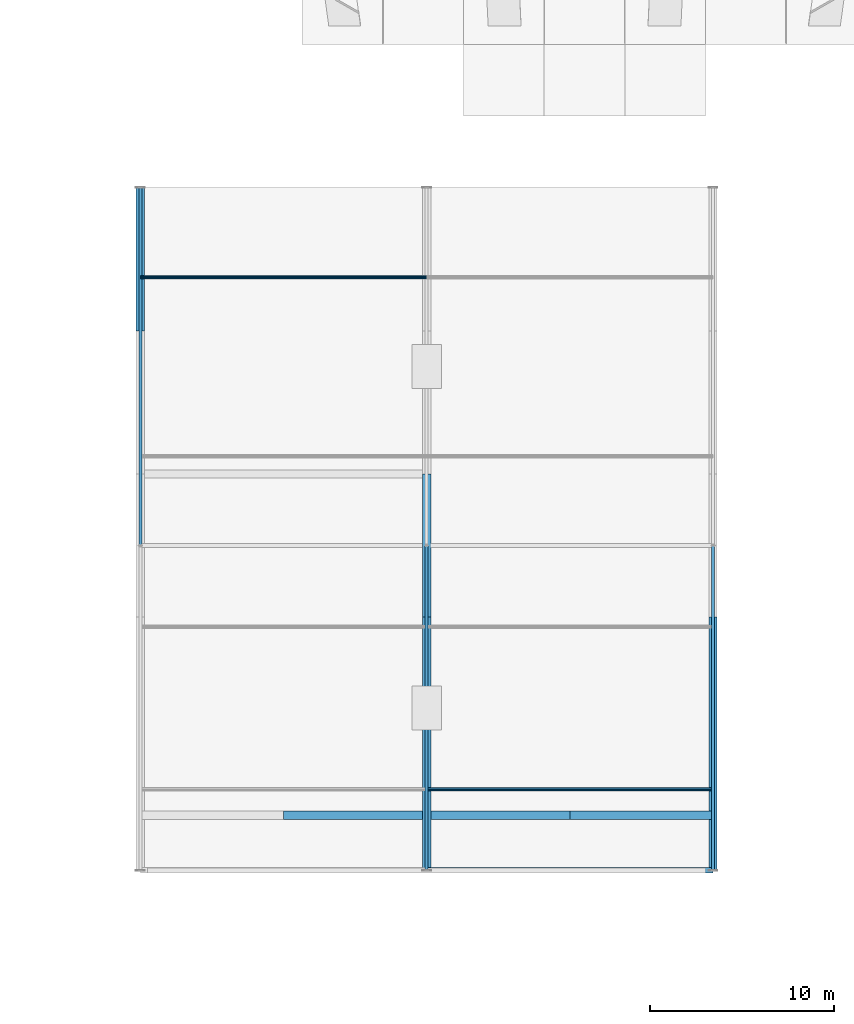
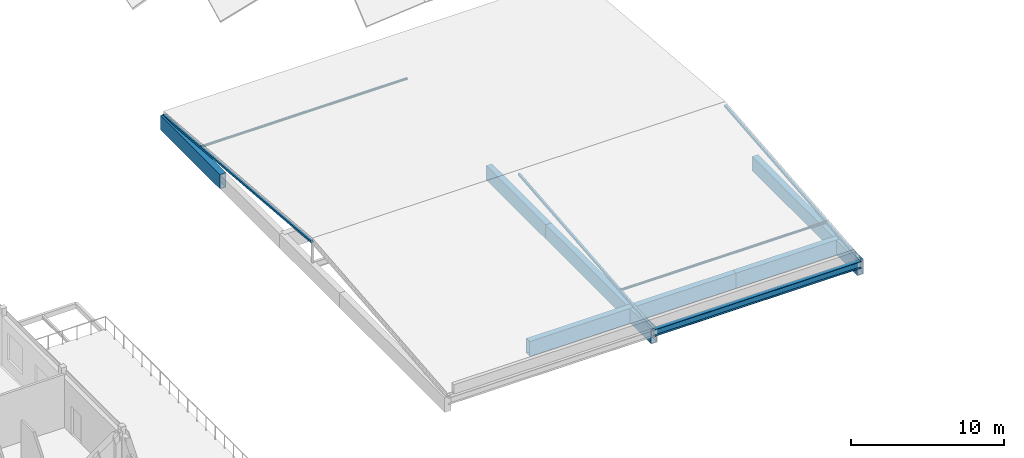
# One storey, part 5 of 45: 7 beams, 5 members.
"""IFC4 building model written with IfcOpenShell, lengths in metres."""

from ifc_helpers import new_model, si_unit, direction, frame, origin, origin_2d, place, context, subcontext, project, spatial, hollow_rectangle, hollow_circle, i_section, extrude, material, material_profile, profile_set, type_object, element, save


model = new_model("IFC4")

# Units and contexts
model_context = context("Model", 3, precision=1e-05, world=origin(), true_north=direction((0.0, 1.0)))
body_context = subcontext(model_context, "Body", "Model", "MODEL_VIEW")
ifc_project = project(units=[si_unit("LENGTHUNIT", "METRE"), si_unit("AREAUNIT", "SQUARE_METRE"), si_unit("VOLUMEUNIT", "CUBIC_METRE"), si_unit("PLANEANGLEUNIT", "RADIAN"), si_unit("MASSUNIT", "GRAM", prefix="KILO")], contexts=[model_context])

# Site, building, storey
site_placement = place(None, origin())
site = spatial("IfcSite", under=ifc_project, at=site_placement, CompositionType="ELEMENT")
building_placement = place(site_placement, origin())
building = spatial("IfcBuilding", under=site, at=building_placement, Name="Celorna Specialist Clinic", CompositionType="ELEMENT")
storey_placement = place(building_placement, frame((0.0, 0.0, 18.60009765625)))
storey = spatial("IfcBuildingStorey", under=building, at=storey_placement, Name="L04", CompositionType="ELEMENT", Elevation=18.60009765625)

# Beams
ifc_material = material(Name="Steel S355", Category="steel")
ifc_material_profile_1 = material_profile(ifc_material, hollow_rectangle(XDim=0.449951171875, YDim=1.14990234375, WallThickness=0.031982421875, at=origin_2d()), Name="BOX 450x1150x32")
ifc_profile_set_1 = profile_set([ifc_material_profile_1], Name="Steel S355")
beam_type_1 = type_object("IfcBeamType", Name="BM-01", PredefinedType="BEAM", material=ifc_profile_set_1)
beam_1_placement = place(storey_placement, frame((54.60009765625, 35.10009765625, -0.735107421875), z_axis=(0.0, 1.0, 0.0), x_axis=(-1.0, 0.0, 0.0)))
element("IfcBeam", 1, at=beam_1_placement, inside=storey, type_object=beam_type_1, Name="Cantilever Pratt truss chord WP-014-WP-015", PredefinedType="BEAM", context=body_context, shape_type="SweptSolid", body=[
    extrude(hollow_rectangle(XDim=0.449951171875, YDim=1.14990234375, WallThickness=0.031982421875, at=origin_2d()), origin(), (0.0, 0.0, 1.0), 7.7998046875),
])
beam_2_placement = place(storey_placement, frame((70.199951171875, 5.699951171875, -0.735107421875), z_axis=(0.0, 1.0, 0.0), x_axis=(-1.0, 0.0, 0.0)))
element("IfcBeam", 2, at=beam_2_placement, inside=storey, type_object=beam_type_1, Name="Cantilever Pratt truss chord WP-044-WP-045", PredefinedType="BEAM", context=body_context, shape_type="SweptSolid", body=[
    extrude(hollow_rectangle(XDim=0.449951171875, YDim=1.14990234375, WallThickness=0.031982421875, at=origin_2d()), origin(), (0.0, 0.0, 1.0), 13.800048828125),
])
beam_3_placement = place(storey_placement, frame((70.199951171875, 19.5, -0.735107421875), z_axis=(0.0, 1.0, 0.0), x_axis=(-1.0, 0.0, 0.0)))
element("IfcBeam", 3, at=beam_3_placement, inside=storey, type_object=beam_type_1, Name="Cantilever Pratt truss chord WP-045-WP-046", PredefinedType="BEAM", context=body_context, shape_type="SweptSolid", body=[
    extrude(hollow_rectangle(XDim=0.449951171875, YDim=1.14990234375, WallThickness=0.031982421875, at=origin_2d()), origin(), (0.0, 0.0, 1.0), 7.800048828125),
])
beam_4_placement = place(storey_placement, frame((85.800048828125, 5.699951171875, -0.735107421875), z_axis=(0.0, 1.0, 0.0), x_axis=(-1.0, 0.0, 0.0)))
element("IfcBeam", 4, at=beam_4_placement, inside=storey, type_object=beam_type_1, Name="Cantilever Pratt truss chord WP-075-WP-076", PredefinedType="BEAM", context=body_context, shape_type="SweptSolid", body=[
    extrude(hollow_rectangle(XDim=0.449951171875, YDim=1.14990234375, WallThickness=0.031982421875, at=origin_2d()), origin(), (0.0, 0.0, 1.0), 13.800048828125),
])
ifc_material_profile_2 = material_profile(ifc_material, hollow_rectangle(XDim=0.449951171875, YDim=1.199951171875, WallThickness=0.031982421875, at=origin_2d()), Name="BOX 450x1200x32")
ifc_profile_set_2 = profile_set([ifc_material_profile_2], Name="Steel S355")
beam_type_2 = type_object("IfcBeamType", Name="BM-02", PredefinedType="BEAM", material=ifc_profile_set_2)
beam_5_placement = place(storey_placement, frame((62.39990234375, 8.699951171875, -0.760009765625), z_axis=(1.0, 0.0, 0.0), x_axis=(0.0, 1.0, 0.0)))
element("IfcBeam", 5, at=beam_5_placement, inside=storey, type_object=beam_type_2, Name="Portico transfer box girder BM-02 #14", PredefinedType="BEAM", context=body_context, shape_type="SweptSolid", body=[
    extrude(hollow_rectangle(XDim=0.449951171875, YDim=1.199951171875, WallThickness=0.031982421875, at=origin_2d()), origin(), (0.0, 0.0, 1.0), 15.60009765625),
])
beam_6_placement = place(storey_placement, frame((78.0, 8.699951171875, -0.760009765625), z_axis=(1.0, 0.0, 0.0), x_axis=(0.0, 1.0, 0.0)))
element("IfcBeam", 6, at=beam_6_placement, inside=storey, type_object=beam_type_2, Name="Portico transfer box girder BM-02 #17", PredefinedType="BEAM", context=body_context, shape_type="SweptSolid", body=[
    extrude(hollow_rectangle(XDim=0.449951171875, YDim=1.199951171875, WallThickness=0.031982421875, at=origin_2d()), origin(), (0.0, 0.0, 1.0), 7.800048828125),
])
ifc_material_profile_3 = material_profile(ifc_material, i_section(OverallWidth=0.300048828125, OverallDepth=0.550048828125, WebThickness=0.014892578125, FlangeThickness=0.029052734375, at=origin_2d()), Name="HE 550 B")
ifc_profile_set_3 = profile_set([ifc_material_profile_3], Name="Steel S355")
beam_type_3 = type_object("IfcBeamType", Name="BM-04", PredefinedType="BEAM", material=ifc_profile_set_3)
beam_7_placement = place(storey_placement, frame((70.199951171875, 5.699951171875, -0.43505859375), z_axis=(1.0, 0.0, 0.0), x_axis=(0.0, 1.0, 0.0)))
element("IfcBeam", 7, at=beam_7_placement, inside=storey, type_object=beam_type_3, Name="Cantilever nose edge girder BM-04 #8", PredefinedType="BEAM", context=body_context, shape_type="SweptSolid", body=[
    extrude(i_section(OverallWidth=0.300048828125, OverallDepth=0.550048828125, WebThickness=0.014892578125, FlangeThickness=0.029052734375, at=origin_2d()), origin(), (0.0, 0.0, 1.0), 15.60009765625),
])

# Members
ifc_material_profile_4 = material_profile(ifc_material, hollow_circle(Radius=0.096923828125, WallThickness=0.010009765625, at=origin_2d()), Name="CHS 193.7x10")
ifc_profile_set_4 = profile_set([ifc_material_profile_4], Name="Steel S355")
member_type_1 = type_object("IfcMemberType", Name="MB-04", PredefinedType="PURLIN", material=ifc_profile_set_4)
member_1_placement = place(storey_placement, frame((70.199951171875, 10.125, 0.225341796875), z_axis=(1.0, 0.0, 0.0), x_axis=(0.0, 1.0, 0.0)))
element("IfcMember", 8, at=member_1_placement, inside=storey, type_object=member_type_1, Name="Roof purlin WP-312-WP-313", PredefinedType="PURLIN", context=body_context, shape_type="SweptSolid", body=[
    extrude(hollow_circle(Radius=0.096923828125, WallThickness=0.010009765625, at=origin_2d()), origin(), (0.0, 0.0, 1.0), 15.60009765625),
])
member_2_placement = place(storey_placement, frame((54.60009765625, 38.02490234375, 0.225341796875), z_axis=(1.0, 0.0, 0.0), x_axis=(0.0, 1.0, 0.0)))
element("IfcMember", 9, at=member_2_placement, inside=storey, type_object=member_type_1, Name="Roof purlin WP-323-WP-324", PredefinedType="PURLIN", context=body_context, shape_type="SweptSolid", body=[
    extrude(hollow_circle(Radius=0.096923828125, WallThickness=0.010009765625, at=origin_2d()), origin(), (0.0, 0.0, 1.0), 15.599853515625),
])
ifc_material_profile_5 = material_profile(ifc_material, hollow_rectangle(XDim=0.159912109375, YDim=0.159912109375, WallThickness=0.010009765625, at=origin_2d()), Name="SHS 160x160x10")
ifc_profile_set_5 = profile_set([ifc_material_profile_5], Name="Steel S355")
member_type_2 = type_object("IfcMemberType", Name="MB-09", PredefinedType="CHORD", material=ifc_profile_set_5)
for number, where, z_axis, x_axis, name in (
    (10, (70.199951171875, 5.699951171875, -0.2021484375), (0.0, 0.995577612747, 0.093942626089), (-1.0, 0.0, 0.0), "Pitched roof rafter chord WP-307-WP-308"),
    (11, (85.800048828125, 5.699951171875, -0.2021484375), (0.0, 0.995577612747, 0.093942626089), (-1.0, 0.0, 0.0), "Pitched roof rafter chord WP-309-WP-310"),
):
    element("IfcMember", number, at=place(storey_placement, frame(where, z_axis=z_axis, x_axis=x_axis)), inside=storey, type_object=member_type_2, Name=name, PredefinedType="CHORD", context=body_context, shape_type="SweptSolid", body=[
        extrude(hollow_rectangle(XDim=0.159912109375, YDim=0.159912109375, WallThickness=0.010009765625, at=origin_2d()), origin(), (0.0, 0.0, 1.0), 17.778564453125),
    ])
member_3_placement = place(storey_placement, frame((54.60009765625, 23.39990234375, 1.468017578125), z_axis=(0.0, 0.996352136107, -0.085337101401), x_axis=(-1.0, 0.0, 0.0)))
element("IfcMember", 12, at=member_3_placement, inside=storey, type_object=member_type_2, Name="Pitched roof rafter chord WP-306-WP-317", PredefinedType="CHORD", context=body_context, shape_type="SweptSolid", body=[
    extrude(hollow_rectangle(XDim=0.159912109375, YDim=0.159912109375, WallThickness=0.010009765625, at=origin_2d()), origin(), (0.0, 0.0, 1.0), 19.5712890625),
])

save(model, "model.ifc")
